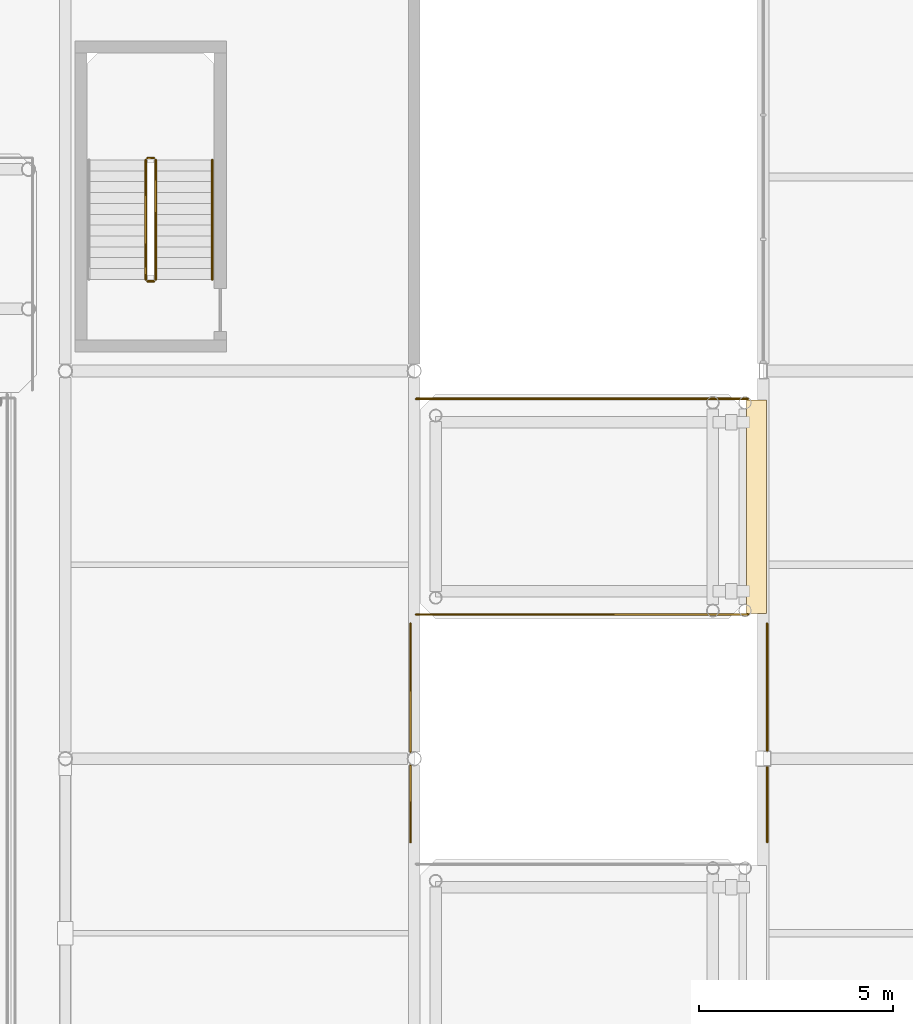
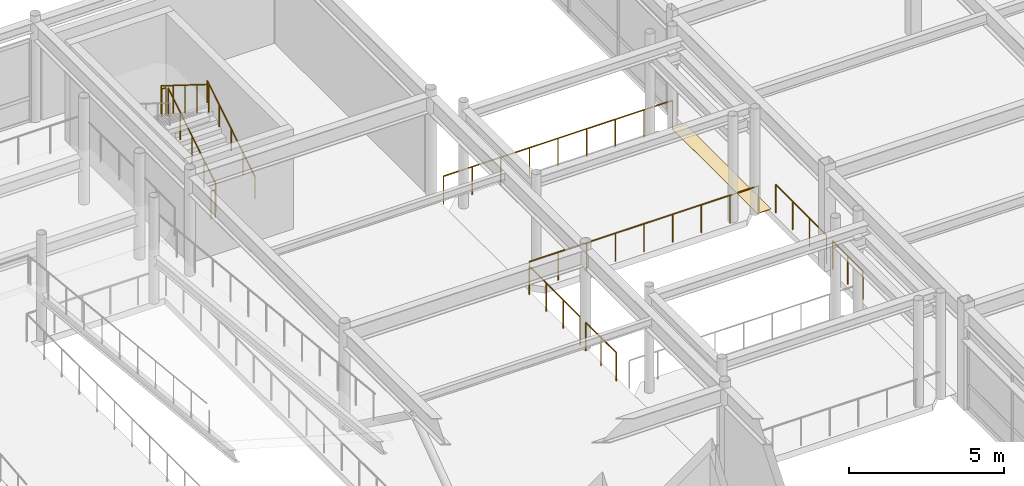
# One storey, part 99 of 108: 11 railings, 1 covering.
"""IFC4 building model written with IfcOpenShell, lengths in metres."""

from ifc_helpers import new_model, si_unit, direction, frame, origin, origin_2d, place, context, subcontext, project, spatial, polyline, circle, outline, extrude, material, layer, layer_set, type_object, element, save


model = new_model("IFC4")

# Units and contexts
model_context = context("Model", 3, precision=1e-05, world=origin(), true_north=direction((0.0, 1.0)))
body_context = subcontext(model_context, "Body", "Model", "MODEL_VIEW")
ifc_project = project(units=[si_unit("LENGTHUNIT", "METRE"), si_unit("AREAUNIT", "SQUARE_METRE"), si_unit("VOLUMEUNIT", "CUBIC_METRE"), si_unit("PLANEANGLEUNIT", "RADIAN"), si_unit("MASSUNIT", "GRAM", prefix="KILO")], contexts=[model_context])

# Site, building, storey
site_placement = place(None, origin())
site = spatial("IfcSite", under=ifc_project, at=site_placement, CompositionType="ELEMENT")
building_placement = place(site_placement, origin())
building = spatial("IfcBuilding", under=site, at=building_placement, Name="Suzunagisa Mobility Hub", CompositionType="ELEMENT")
storey_placement = place(building_placement, frame((0.0, 0.0, 9.300048828125)))
storey = spatial("IfcBuildingStorey", under=building, at=storey_placement, Name="L02", CompositionType="ELEMENT", Elevation=9.300048828125)

# Railings
ifc_material_1 = material(Name="Stainless Steel SUS304", Category="metal")
railing_type_1 = type_object("IfcRailingType", Name="Interior Well Guardrail IGR-01", PredefinedType="GUARDRAIL", material=ifc_material_1)
railing_1_placement = place(storey_placement, frame((29.330078125, 110.360107421875, 0.175048828125)))
element("IfcRailing", 1, at=railing_1_placement, inside=storey, type_object=railing_type_1, Name="L02 ST-06 stair guard 1", PredefinedType="GUARDRAIL", context=body_context, shape_type="SweptSolid", body=[
    extrude(circle(Radius=0.02392578125, at=origin_2d()), frame((0.0, 0.0, 1.09619140625), z_axis=(0.0, 0.848009633417, 0.529980812513), x_axis=(-1.0, 0.0, 0.0)), (0.0, 0.0, 1.0), 3.6318359375),
    extrude(circle(Radius=0.02099609375, at=origin_2d()), origin(), (0.0, 0.0, 1.0), 1.072021484375),
    extrude(circle(Radius=0.02099609375, at=origin_2d()), frame((0.0, 0.77001953125, 0.481201171875)), (0.0, 0.0, 1.0), 1.072021484375),
    extrude(circle(Radius=0.02099609375, at=origin_2d()), frame((0.0, 1.5400390625, 0.96240234375)), (0.0, 0.0, 1.0), 1.072021484375),
    extrude(circle(Radius=0.02099609375, at=origin_2d()), frame((0.0, 2.309814453125, 1.443603515625)), (0.0, 0.0, 1.0), 1.072021484375),
    extrude(circle(Radius=0.02099609375, at=origin_2d()), frame((0.0, 3.079833984375, 1.9248046875)), (0.0, 0.0, 1.0), 1.072021484375),
])
railing_2_placement = place(storey_placement, frame((29.280029296875, 113.489990234375, 2.099853515625)))
element("IfcRailing", 2, at=railing_2_placement, inside=storey, type_object=railing_type_1, Name="L02 ST-06 stair guard 2", PredefinedType="GUARDRAIL", context=body_context, shape_type="SweptSolid", body=[
    extrude(circle(Radius=0.02392578125, at=origin_2d()), frame((0.0, 0.0, 1.09619140625), z_axis=(-1.0, 0.0, 0.0), x_axis=(0.0, -1.0, 0.0)), (0.0, 0.0, 1.0), 0.159912109375),
    extrude(circle(Radius=0.02099609375, at=origin_2d()), origin(), (0.0, 0.0, 1.0), 1.072021484375),
    extrude(circle(Radius=0.02099609375, at=origin_2d()), frame((-0.159912109375, 0.0, 0.0)), (0.0, 0.0, 1.0), 1.072021484375),
])
railing_3_placement = place(storey_placement, frame((29.070068359375, 113.43994140625, 2.27490234375)))
element("IfcRailing", 3, at=railing_3_placement, inside=storey, type_object=railing_type_1, Name="L02 ST-06 stair guard 3", PredefinedType="GUARDRAIL", context=body_context, shape_type="SweptSolid", body=[
    extrude(circle(Radius=0.02392578125, at=origin_2d()), frame((0.0, 0.0, 1.09619140625), z_axis=(0.0, -0.847979421464, 0.530029150871), x_axis=(1.0, 0.0, 0.0)), (0.0, 0.0, 1.0), 3.632080078125),
    extrude(circle(Radius=0.02099609375, at=origin_2d()), origin(), (0.0, 0.0, 1.0), 1.072021484375),
    extrude(circle(Radius=0.02099609375, at=origin_2d()), frame((0.0, -0.77001953125, 0.481201171875)), (0.0, 0.0, 1.0), 1.072021484375),
    extrude(circle(Radius=0.02099609375, at=origin_2d()), frame((0.0, -1.5400390625, 0.96240234375)), (0.0, 0.0, 1.0), 1.072021484375),
    extrude(circle(Radius=0.02099609375, at=origin_2d()), frame((0.0, -2.309814453125, 1.44384765625)), (0.0, 0.0, 1.0), 1.072021484375),
    extrude(circle(Radius=0.02099609375, at=origin_2d()), frame((0.0, -3.079833984375, 1.925048828125)), (0.0, 0.0, 1.0), 1.072021484375),
])
railing_4_placement = place(storey_placement, frame((29.280029296875, 110.31005859375, 0.0)))
element("IfcRailing", 4, at=railing_4_placement, inside=storey, type_object=railing_type_1, Name="L02 ST-06 stair guard 4", PredefinedType="GUARDRAIL", context=body_context, shape_type="SweptSolid", body=[
    extrude(circle(Radius=0.02392578125, at=origin_2d()), frame((0.0, 0.0, 1.09619140625), z_axis=(-1.0, 0.0, 0.0), x_axis=(0.0, -1.0, 0.0)), (0.0, 0.0, 1.0), 0.159912109375),
    extrude(circle(Radius=0.02099609375, at=origin_2d()), origin(), (0.0, 0.0, 1.0), 1.072021484375),
    extrude(circle(Radius=0.02099609375, at=origin_2d()), frame((-0.159912109375, 0.0, 0.0)), (0.0, 0.0, 1.0), 1.072021484375),
])

# Covering
ifc_material_2 = material(Name="Polished Aggregate Terrazzo Finish")
ifc_layer = layer(ifc_material_2, 0.02001953125)
ifc_layer_set = layer_set([ifc_layer], Name="Polished Aggregate Terrazzo Finish")
covering_type = type_object("IfcCoveringType", Name="Polished Terrazzo Heavy-Traffic Flooring FLR-01", PredefinedType="FLOORING", material=ifc_layer_set)
covering_placement = place(storey_placement, frame((0.0, 0.0, -0.02001953125)))
element("IfcCovering", 5, at=covering_placement, inside=storey, type_object=covering_type, Name="L02 Flush Hinged Seismic Threshold Plate VRL-L02-N", PredefinedType="FLOORING", context=body_context, shape_type="SweptSolid", body=[
    extrude(outline(polyline([(44.570068359375, 101.75), (45.080078125, 101.75), (45.080078125, 107.25), (44.570068359375, 107.25), (44.570068359375, 101.75)])), origin(), (0.0, 0.0, 1.0), 0.02001953125),
])

# Railings
ifc_material_3 = material(Name="Anodized Aluminum and Stainless Steel SUS316", Category="metal")
railing_type_2 = type_object("IfcRailingType", Name="Streamline Ship-Deck Tubular Balustrade BL-01", PredefinedType="BALUSTRADE", material=ifc_material_3)
railing_5_placement = place(storey_placement, frame((35.89990234375, 95.85009765625, 0.0)))
element("IfcRailing", 6, at=railing_5_placement, inside=storey, type_object=railing_type_2, Name="L02 Skybridge Threshold Side Guardrail BSG-5", PredefinedType="BALUSTRADE", context=body_context, shape_type="SweptSolid", body=[
    extrude(circle(Radius=0.02392578125, at=origin_2d()), frame((0.0, 0.0, 1.11572265625), z_axis=(0.0, 1.0, 0.0), x_axis=(-1.0, 0.0, 0.0)), (0.0, 0.0, 1.0), 1.97216796875),
    extrude(circle(Radius=0.02099609375, at=origin_2d()), origin(), (0.0, 0.0, 1.0), 1.091796875),
    extrude(circle(Radius=0.02099609375, at=origin_2d()), frame((0.0, 0.986083984375, 0.0)), (0.0, 0.0, 1.0), 1.091796875),
    extrude(circle(Radius=0.02099609375, at=origin_2d()), frame((0.0, 1.97216796875, 0.0)), (0.0, 0.0, 1.0), 1.091796875),
])
railing_6_placement = place(storey_placement, frame((35.89990234375, 98.177734375, 0.0)))
element("IfcRailing", 7, at=railing_6_placement, inside=storey, type_object=railing_type_2, Name="L02 Skybridge Threshold Side Guardrail BSG-6", PredefinedType="BALUSTRADE", context=body_context, shape_type="SweptSolid", body=[
    extrude(circle(Radius=0.02392578125, at=origin_2d()), frame((0.0, 0.0, 1.11572265625), z_axis=(0.0, 1.0, 0.0), x_axis=(-1.0, 0.0, 0.0)), (0.0, 0.0, 1.0), 3.30224609375),
    extrude(circle(Radius=0.02099609375, at=origin_2d()), origin(), (0.0, 0.0, 1.0), 1.091796875),
    extrude(circle(Radius=0.02099609375, at=origin_2d()), frame((0.0, 1.100830078125, 0.0)), (0.0, 0.0, 1.0), 1.091796875),
    extrude(circle(Radius=0.02099609375, at=origin_2d()), frame((0.0, 2.201416015625, 0.0)), (0.0, 0.0, 1.0), 1.091796875),
    extrude(circle(Radius=0.02099609375, at=origin_2d()), frame((0.0, 3.30224609375, 0.0)), (0.0, 0.0, 1.0), 1.091796875),
])
railing_7_placement = place(storey_placement, frame((45.10009765625, 101.47998046875, 0.0)))
element("IfcRailing", 8, at=railing_7_placement, inside=storey, type_object=railing_type_2, Name="L02 Skybridge Threshold Side Guardrail BSG-15", PredefinedType="BALUSTRADE", context=body_context, shape_type="SweptSolid", body=[
    extrude(circle(Radius=0.02392578125, at=origin_2d()), frame((0.0, 0.0, 1.11572265625), z_axis=(0.0, -1.0, 0.0), x_axis=(1.0, 0.0, 0.0)), (0.0, 0.0, 1.0), 3.280029296875),
    extrude(circle(Radius=0.02099609375, at=origin_2d()), origin(), (0.0, 0.0, 1.0), 1.091796875),
    extrude(circle(Radius=0.02099609375, at=origin_2d()), frame((0.0, -1.09326171875, 0.0)), (0.0, 0.0, 1.0), 1.091796875),
    extrude(circle(Radius=0.02099609375, at=origin_2d()), frame((0.0, -2.186767578125, 0.0)), (0.0, 0.0, 1.0), 1.091796875),
    extrude(circle(Radius=0.02099609375, at=origin_2d()), frame((0.0, -3.280029296875, 0.0)), (0.0, 0.0, 1.0), 1.091796875),
])
railing_8_placement = place(storey_placement, frame((45.10009765625, 97.800048828125, 0.0)))
element("IfcRailing", 9, at=railing_8_placement, inside=storey, type_object=railing_type_2, Name="L02 Skybridge Threshold Side Guardrail BSG-16", PredefinedType="BALUSTRADE", context=body_context, shape_type="SweptSolid", body=[
    extrude(circle(Radius=0.02392578125, at=origin_2d()), frame((0.0, 0.0, 1.11572265625), z_axis=(0.0, -1.0, 0.0), x_axis=(1.0, 0.0, 0.0)), (0.0, 0.0, 1.0), 1.949951171875),
    extrude(circle(Radius=0.02099609375, at=origin_2d()), origin(), (0.0, 0.0, 1.0), 1.091796875),
    extrude(circle(Radius=0.02099609375, at=origin_2d()), frame((0.0, -0.97509765625, 0.0)), (0.0, 0.0, 1.0), 1.091796875),
    extrude(circle(Radius=0.02099609375, at=origin_2d()), frame((0.0, -1.949951171875, 0.0)), (0.0, 0.0, 1.0), 1.091796875),
])
ifc_material_4 = material(Name="Stainless Steel SUS316", Category="metal")
railing_type_3 = type_object("IfcRailingType", Name="Terrace Stainless Steel Guardrail GR-01", PredefinedType="GUARDRAIL", material=ifc_material_4)
for number, where, name in (
    (10, (36.050048828125, 101.719970703125, 0.0), "L02 Bridge Edge Guardrail VRL-L02-N-81"),
    (11, (36.050048828125, 107.280029296875, 0.0), "L02 Bridge Edge Guardrail VRL-L02-N-82"),
):
    element("IfcRailing", number, at=place(storey_placement, frame(where)), inside=storey, type_object=railing_type_3, Name=name, PredefinedType="GUARDRAIL", context=body_context, shape_type="SweptSolid", body=[
        extrude(circle(Radius=0.02392578125, at=origin_2d()), frame((0.0, 0.0, 1.09619140625), z_axis=(1.0, 0.0, 0.0), x_axis=(0.0, 1.0, 0.0)), (0.0, 0.0, 1.0), 8.550048828125),
        extrude(circle(Radius=0.02099609375, at=origin_2d()), origin(), (0.0, 0.0, 1.0), 1.072021484375),
        extrude(circle(Radius=0.02099609375, at=origin_2d()), frame((1.06884765625, 0.0, 0.0)), (0.0, 0.0, 1.0), 1.072021484375),
        extrude(circle(Radius=0.02099609375, at=origin_2d()), frame((2.137451171875, 0.0, 0.0)), (0.0, 0.0, 1.0), 1.072021484375),
        extrude(circle(Radius=0.02099609375, at=origin_2d()), frame((3.206298828125, 0.0, 0.0)), (0.0, 0.0, 1.0), 1.072021484375),
        extrude(circle(Radius=0.02099609375, at=origin_2d()), frame((4.27490234375, 0.0, 0.0)), (0.0, 0.0, 1.0), 1.072021484375),
        extrude(circle(Radius=0.02099609375, at=origin_2d()), frame((5.34375, 0.0, 0.0)), (0.0, 0.0, 1.0), 1.072021484375),
        extrude(circle(Radius=0.02099609375, at=origin_2d()), frame((6.41259765625, 0.0, 0.0)), (0.0, 0.0, 1.0), 1.072021484375),
        extrude(circle(Radius=0.02099609375, at=origin_2d()), frame((7.481201171875, 0.0, 0.0)), (0.0, 0.0, 1.0), 1.072021484375),
        extrude(circle(Radius=0.02099609375, at=origin_2d()), frame((8.550048828125, 0.0, 0.0)), (0.0, 0.0, 1.0), 1.072021484375),
    ])
railing_type_4 = type_object("IfcRailingType", Name="Tubular Stainless Stair Handrail IHR-01", PredefinedType="HANDRAIL", material=ifc_material_1)
railing_9_placement = place(storey_placement, frame((30.7900390625, 110.360107421875, 0.175048828125)))
element("IfcRailing", 12, at=railing_9_placement, inside=storey, type_object=railing_type_4, Name="L02 ST-06 stair handrail 1", PredefinedType="HANDRAIL", context=body_context, shape_type="SweptSolid", body=[
    extrude(circle(Radius=0.02392578125, at=origin_2d()), frame((0.0, 0.0, 0.8759765625), z_axis=(0.0, 0.848009633417, 0.529980812513), x_axis=(-1.0, 0.0, 0.0)), (0.0, 0.0, 1.0), 3.6318359375),
    extrude(circle(Radius=0.02099609375, at=origin_2d()), origin(), (0.0, 0.0, 1.0), 0.851806640625),
    extrude(circle(Radius=0.02099609375, at=origin_2d()), frame((0.0, 0.77001953125, 0.481201171875)), (0.0, 0.0, 1.0), 0.851806640625),
    extrude(circle(Radius=0.02099609375, at=origin_2d()), frame((0.0, 1.5400390625, 0.96240234375)), (0.0, 0.0, 1.0), 0.851806640625),
    extrude(circle(Radius=0.02099609375, at=origin_2d()), frame((0.0, 2.309814453125, 1.443603515625)), (0.0, 0.0, 1.0), 0.851806640625),
    extrude(circle(Radius=0.02099609375, at=origin_2d()), frame((0.0, 3.079833984375, 1.9248046875)), (0.0, 0.0, 1.0), 0.851806640625),
])

save(model, "model.ifc")
